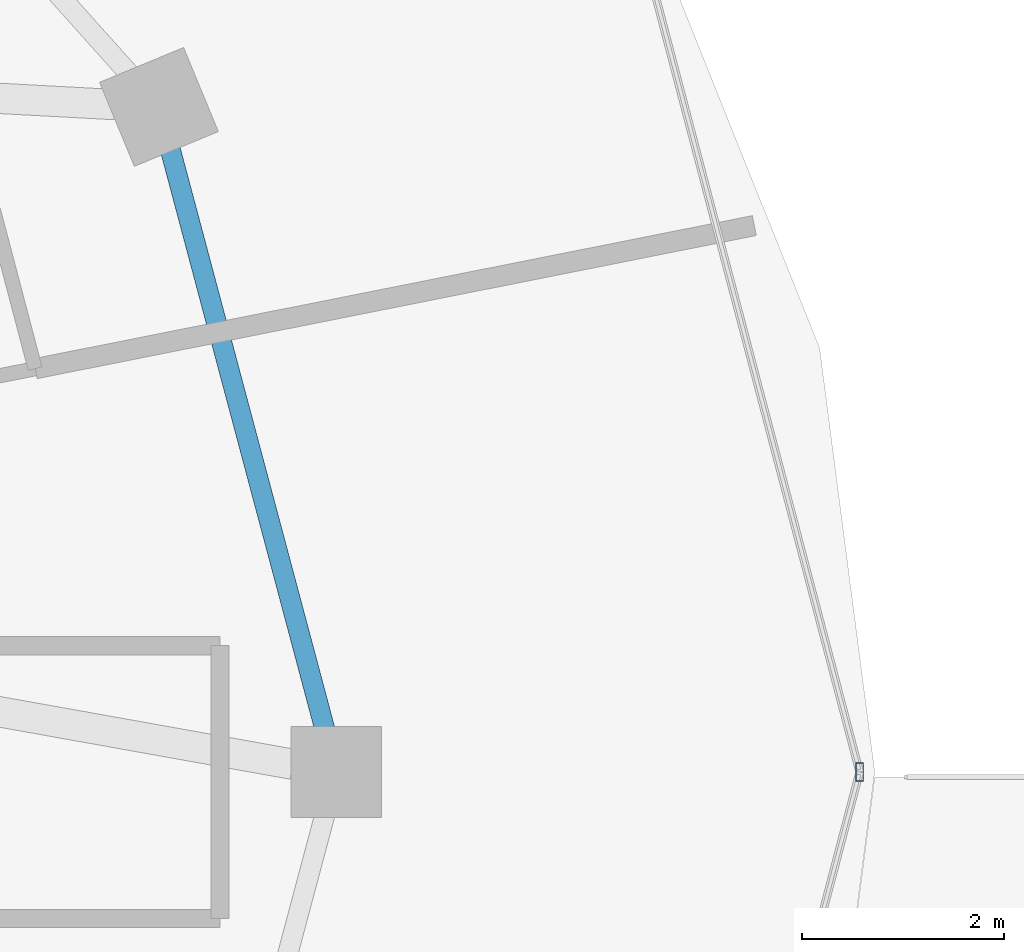
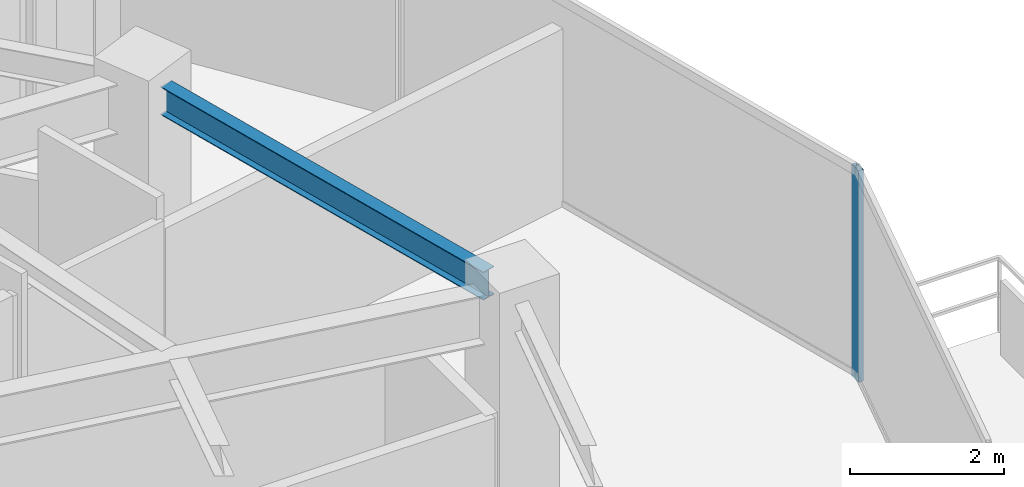
# One storey, part 15 of 34: 1 beam, 1 member, 1 element without a shape of its own.
"""IFC4 building model written with IfcOpenShell, lengths in metres."""

from ifc_helpers import new_model, si_unit, direction, frame, origin, origin_2d, place, context, subcontext, project, spatial, hollow_rectangle, i_section, extrude, material, material_profile, profile_set, type_object, element, aggregate, save


model = new_model("IFC4")

# Units and contexts
model_context = context("Model", 3, precision=1e-05, world=origin(), true_north=direction((0.0, 1.0)))
body_context = subcontext(model_context, "Body", "Model", "MODEL_VIEW")
ifc_project = project(units=[si_unit("LENGTHUNIT", "METRE"), si_unit("AREAUNIT", "SQUARE_METRE"), si_unit("VOLUMEUNIT", "CUBIC_METRE"), si_unit("PLANEANGLEUNIT", "RADIAN"), si_unit("MASSUNIT", "GRAM", prefix="KILO")], contexts=[model_context])

# Site, building, storey
site_placement = place(None, origin())
site = spatial("IfcSite", under=ifc_project, at=site_placement, CompositionType="ELEMENT")
building_placement = place(site_placement, origin())
building = spatial("IfcBuilding", under=site, at=building_placement, Name="Vorneva Point Tower", CompositionType="ELEMENT")
storey_placement = place(building_placement, frame((0.0, 0.0, 214.300048828125)))
storey = spatial("IfcBuildingStorey", under=building, at=storey_placement, Name="L58", CompositionType="ELEMENT", Elevation=214.300048828125)

# Beam
ifc_material_1 = material(Name="Steel S355", Category="steel")
ifc_material_profile_1 = material_profile(ifc_material_1, i_section(OverallWidth=0.198974609375, OverallDepth=0.446044921875, WebThickness=0.008056640625, FlangeThickness=0.011962890625, at=origin_2d()), Name="45B1")
ifc_profile_set_1 = profile_set([ifc_material_profile_1], Name="Steel S355")
beam_type = type_object("IfcBeamType", Name="BM-SPN-45B1", PredefinedType="SPANDREL", material=ifc_profile_set_1)
beam_placement = place(storey_placement, frame((60.93798828125, 26.42041015625, 3.06689453125), z_axis=(-0.257578258003, 0.966257440336, 0.0), x_axis=(-0.966257440336, -0.257578258003, 0.0)))
element("IfcBeam", 1, at=beam_placement, inside=storey, type_object=beam_type, Name="L58 Perimeter Spandrel Ring Beam 01", PredefinedType="SPANDREL", context=body_context, shape_type="SweptSolid", body=[
    extrude(i_section(OverallWidth=0.198974609375, OverallDepth=0.446044921875, WebThickness=0.008056640625, FlangeThickness=0.011962890625, at=origin_2d()), origin(), (0.0, 0.0, 1.0), 5.94189453125),
])

# Curtain wall, member
ifc_material_2 = material(Name="Pale anodised aluminium", Category="aluminium")
curtain_wall_type = type_object("IfcCurtainWallType", Name="CW-RES-SYS", PredefinedType="NOTDEFINED", material=ifc_material_2)
curtain_wall_placement = place(storey_placement, origin())
curtain_wall = element("IfcCurtainWall", 2, at=curtain_wall_placement, inside=storey, type_object=curtain_wall_type, Name="L58 Unitised Curtain Wall CW-L58-R01", PredefinedType="NOTDEFINED")
ifc_material_profile_2 = material_profile(ifc_material_2, hollow_rectangle(XDim=0.074951171875, YDim=0.179931640625, WallThickness=0.00390625, at=origin_2d()), Name="AL-MUL 180x75x4")
ifc_profile_set_2 = profile_set([ifc_material_profile_2], Name="Pale anodised aluminium")
member_type = type_object("IfcMemberType", Name="CW-MUL-180", PredefinedType="MULLION", material=ifc_profile_set_2)
member_placement = place(storey_placement, frame((66.22998046875, 26.0, -0.0400390625), z_axis=(0.0, 0.0, 1.0), x_axis=(1.0, 0.0, 0.0)))
member = element("IfcMember", 3, at=member_placement, type_object=member_type, Name="CW-L58-R01 Mullion 02", PredefinedType="MULLION", context=body_context, shape_type="SweptSolid", body=[
    extrude(hollow_rectangle(XDim=0.074951171875, YDim=0.179931640625, WallThickness=0.00390625, at=origin_2d()), origin(), (0.0, 0.0, 1.0), 3.360107421875),
])
aggregate(curtain_wall, [member])

save(model, "model.ifc")
